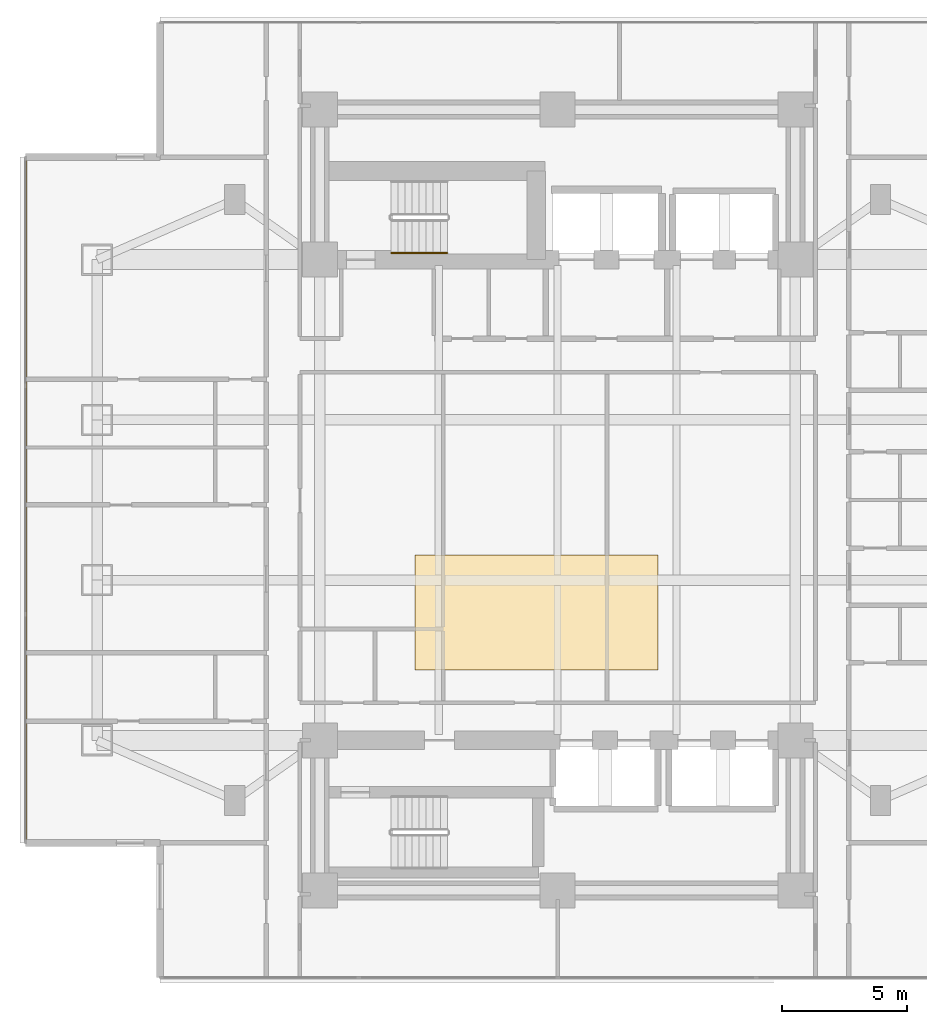
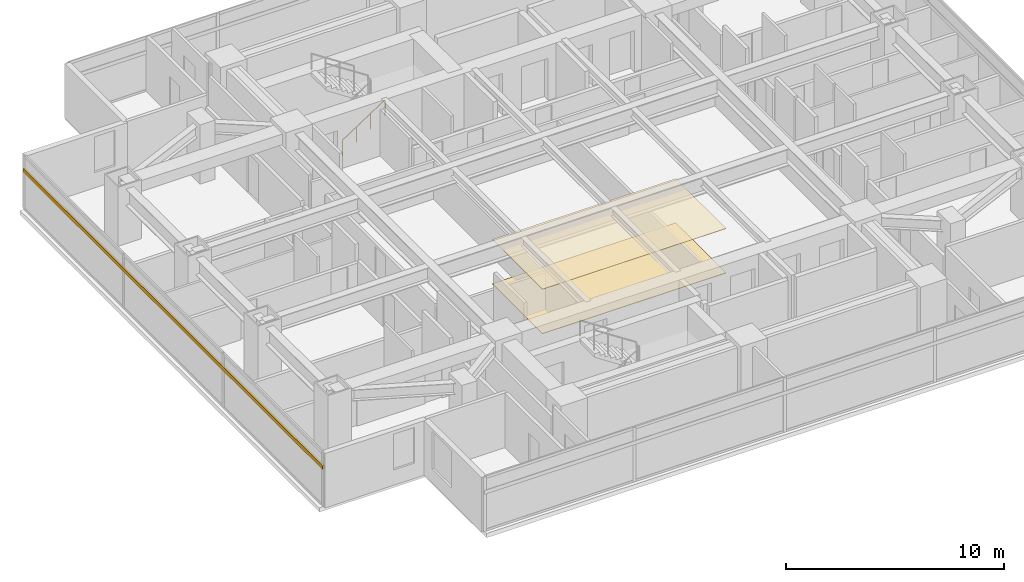
# One storey, part 21 of 26: 2 coverings, 1 railing, 1 shading device.
"""IFC4 building model written with IfcOpenShell, lengths in metres."""

import ifcopenshell
import ifcopenshell.guid

model = None  # the IFC model being written
_history = None  # IfcOwnerHistory: only IFC2X3 demands one
_inside = {}  # id of a spatial element -> (the spatial element, [elements in it])
_under = {}  # id of a project, library or spatial element -> (it, [spatial elements below it])
_declared = {}  # id of a project -> (the project, [libraries it declares])
_typed = {}  # id of a type object -> (the type object, [elements of that type])
_made_of = {}  # id of a material, layer set ... -> (it, [elements and type objects made of it])


def new_model(schema):
    """Start an empty IFC model of exactly this schema.

    Asked for "IFC4X3", IfcOpenShell would pick the latest addendum, in which some entities
    have other attributes; the version numbers below select the first issue.
    IFC2X3 requires an IfcOwnerHistory on every rooted entity: one is made here for all.
    """
    global model, _history
    if schema == "IFC4X3":
        model = ifcopenshell.file(schema_version=(4, 3, 0, 0))
    else:
        model = ifcopenshell.file(schema=schema)
    _inside.clear()
    _under.clear()
    _declared.clear()
    _typed.clear()
    _made_of.clear()
    _history = None
    if model.schema == "IFC2X3":
        org = make("IfcOrganization", Name="unknown")
        user = make(
            "IfcPersonAndOrganization",
            ThePerson=make("IfcPerson", FamilyName="unknown"),
            TheOrganization=org,
        )
        app = make(
            "IfcApplication",
            ApplicationDeveloper=org,
            Version="unknown",
            ApplicationFullName="unknown",
            ApplicationIdentifier="unknown",
        )
        _history = make(
            "IfcOwnerHistory",
            OwningUser=user,
            OwningApplication=app,
            ChangeAction="ADDED",
            CreationDate=0,
        )
    return model


def make(cls, **values):
    """One entity of the class cls with the attributes given. An attribute that is None is left unset."""
    return model.create_entity(
        cls, **{name: value for name, value in values.items() if value is not None}
    )


def rooted(cls, **values):
    """An entity with a GlobalId (a new one), such as an element, a storey or a relation."""
    return make(cls, GlobalId=ifcopenshell.guid.new(), OwnerHistory=_history, **values)


def si_unit(unit_type, name, prefix=None):
    """IfcSIUnit, for example si_unit("LENGTHUNIT", "METRE", prefix="MILLI")."""
    return make("IfcSIUnit", UnitType=unit_type, Prefix=prefix, Name=name)


def assignment(units):
    """IfcUnitAssignment: the units of a project."""
    return None if units is None else make("IfcUnitAssignment", Units=units)


def point(xyz):
    """IfcCartesianPoint."""
    return None if xyz is None else make("IfcCartesianPoint", Coordinates=xyz)


def direction(xyz):
    """IfcDirection."""
    return None if xyz is None else make("IfcDirection", DirectionRatios=xyz)


def frame(location, z_axis=None, x_axis=None):
    """IfcAxis2Placement3D, a coordinate frame: its origin and axes. An axis left out is left unset."""
    return make(
        "IfcAxis2Placement3D",
        Location=point(location),
        Axis=direction(z_axis),
        RefDirection=direction(x_axis),
    )


def frame_2d(location, x_axis=None):
    """IfcAxis2Placement2D, a coordinate frame in the plane: its origin and x axis."""
    return make(
        "IfcAxis2Placement2D", Location=point(location), RefDirection=direction(x_axis)
    )


def origin():
    """The frame at (0, 0, 0) with its axes left unset."""
    return frame((0.0, 0.0, 0.0))


def origin_2d():
    """The frame at (0, 0) in the plane with its x axis left unset."""
    return frame_2d((0.0, 0.0))


def place(relative_to, where):
    """IfcLocalPlacement: puts the frame where relative to a parent placement (None: the world)."""
    return make(
        "IfcLocalPlacement", PlacementRelTo=relative_to, RelativePlacement=where
    )


def context(
    kind, dimensions, precision=None, world=None, true_north=None, identifier=None
):
    """IfcGeometricRepresentationContext, for example the 3D "Model" context."""
    return make(
        "IfcGeometricRepresentationContext",
        ContextIdentifier=identifier,
        ContextType=kind,
        CoordinateSpaceDimension=dimensions,
        Precision=precision,
        WorldCoordinateSystem=world,
        TrueNorth=true_north,
    )


def subcontext(parent, identifier, kind, view, scale=None):
    """IfcGeometricRepresentationSubContext, for example "Body" below "Model"."""
    return make(
        "IfcGeometricRepresentationSubContext",
        ContextIdentifier=identifier,
        ContextType=kind,
        ParentContext=parent,
        TargetScale=scale,
        TargetView=view,
    )


def project(units=None, contexts=None):
    """IfcProject with its units and contexts."""
    return rooted(
        "IfcProject",
        Name="project",
        RepresentationContexts=contexts,
        UnitsInContext=assignment(units),
    )


def spatial(cls, under=None, at=None, **own):
    """A site, building, storey or space (cls), placed at a placement, below another one or the project."""
    s = rooted(cls, ObjectPlacement=at, **own)
    if under is not None:
        _under.setdefault(under.id(), (under, []))[1].append(s)
    return s


def polyline(points):
    """IfcPolyline through the points."""
    return make("IfcPolyline", Points=[point(p) for p in points])


def profile(cls, at=None, kind="AREA", **sizes):
    """A parametric profile (cls). Its sizes go by their IFC names, for example OverallWidth=200.0."""
    return make(cls, ProfileType=kind, Position=at, **sizes)


def rectangle(**sizes):
    """IfcRectangleProfileDef."""
    return profile("IfcRectangleProfileDef", **sizes)


def circle(**sizes):
    """IfcCircleProfileDef."""
    return profile("IfcCircleProfileDef", **sizes)


def outline(outer, holes=None, kind="AREA"):
    """IfcArbitraryClosedProfileDef: a profile drawn as a closed curve; with holes, ...WithVoids."""
    if holes is None:
        return make("IfcArbitraryClosedProfileDef", ProfileType=kind, OuterCurve=outer)
    return make(
        "IfcArbitraryProfileDefWithVoids",
        ProfileType=kind,
        OuterCurve=outer,
        InnerCurves=holes,
    )


def extrude(swept, where, along, depth):
    """IfcExtrudedAreaSolid: the profile swept, set in the frame where, extruded along a direction by depth."""
    return make(
        "IfcExtrudedAreaSolid",
        SweptArea=swept,
        Position=where,
        ExtrudedDirection=direction(along),
        Depth=depth,
    )


def shape(context_of_items, identifier, shape_type, items):
    """IfcShapeRepresentation: the items that make up one representation, for example the "Body"."""
    return make(
        "IfcShapeRepresentation",
        ContextOfItems=context_of_items,
        RepresentationIdentifier=identifier,
        RepresentationType=shape_type,
        Items=items,
    )


def material(Name=None, Category=None):
    """IfcMaterial."""
    return make("IfcMaterial", Name=Name, Category=Category)


def layer(
    of_material, thickness, ventilated=None, Name=None, Category=None, Priority=None
):
    """IfcMaterialLayer: one layer of a wall or slab, of a material (None: an air gap)."""
    return make(
        "IfcMaterialLayer",
        Material=of_material,
        LayerThickness=thickness,
        IsVentilated=ventilated,
        Name=Name,
        Category=Category,
        Priority=Priority,
    )


def layer_set(layers, Name=None):
    """IfcMaterialLayerSet."""
    return make("IfcMaterialLayerSet", MaterialLayers=layers, LayerSetName=Name)


def material_profile(
    of_material, cross_section, Name=None, Category=None, Priority=None
):
    """IfcMaterialProfile: a cross section and its material."""
    return make(
        "IfcMaterialProfile",
        Name=Name,
        Material=of_material,
        Profile=cross_section,
        Priority=Priority,
        Category=Category,
    )


def profile_set(profiles, Name=None, composite=None):
    """IfcMaterialProfileSet."""
    return make(
        "IfcMaterialProfileSet",
        Name=Name,
        MaterialProfiles=profiles,
        CompositeProfile=composite,
    )


def made_of(thing, what):
    """Note that an element or type object is made of a material, layer set ...; save() writes the relation."""
    if what is not None:
        _made_of.setdefault(what.id(), (what, []))[1].append(thing)
    return thing


def type_object(cls, material=None, **own):
    """A type object (cls), such as IfcWallType, which elements share."""
    return made_of(rooted(cls, **own), material)


def element(
    cls,
    number,
    at=None,
    inside=None,
    cuts=None,
    type_object=None,
    material=None,
    context=None,
    identifier="Body",
    shape_type=None,
    held_by="IfcProductDefinitionShape",
    body=None,
    shapes=None,
    **own,
):
    """One element of the class cls, such as IfcWall. Its Tag is "e" and its number.

    at: its placement. inside: the storey or other place that contains it. cuts: it is an
    opening in that element (IfcRelVoidsElement). A single representation is given by context,
    identifier, shape_type and body (its items); several are given by shapes. held_by: the class
    of the entity that holds the representations. save() writes the other relations.
    """
    e = rooted(cls, Tag="e%d" % number, ObjectPlacement=at, **own)
    if body is not None:
        shapes = [shape(context, identifier, shape_type, body)]
    if shapes is not None:
        e.Representation = make(held_by, Representations=shapes)
    if inside is not None:
        _inside.setdefault(inside.id(), (inside, []))[1].append(e)
    if cuts is not None:
        rooted(
            "IfcRelVoidsElement", RelatingBuildingElement=cuts, RelatedOpeningElement=e
        )
    if type_object is not None:
        _typed.setdefault(type_object.id(), (type_object, []))[1].append(e)
    return made_of(e, material)


def aggregate(whole, parts):
    """IfcRelAggregates: a whole, such as a stair, and the parts it consists of."""
    return rooted("IfcRelAggregates", RelatingObject=whole, RelatedObjects=parts)


def save(model, path):
    """Write the relations noted so far, then the file.

    IfcRelAggregates (storeys below a building ...), IfcRelContainedInSpatialStructure (elements
    in a storey), IfcRelDefinesByType, IfcRelAssociatesMaterial and IfcRelDeclares: one each for
    every whole, place, type object, material and project.
    """
    for whole, parts in _under.values():
        aggregate(whole, parts)
    for where, things in _inside.values():
        rooted(
            "IfcRelContainedInSpatialStructure",
            RelatedElements=things,
            RelatingStructure=where,
        )
    for kind, things in _typed.values():
        rooted("IfcRelDefinesByType", RelatedObjects=things, RelatingType=kind)
    for what, things in _made_of.values():
        rooted("IfcRelAssociatesMaterial", RelatedObjects=things, RelatingMaterial=what)
    for by, libraries in _declared.values():
        rooted("IfcRelDeclares", RelatingContext=by, RelatedDefinitions=libraries)
    model.write(path)


model = new_model("IFC4")

# Units and contexts
model_context = context("Model", 3, precision=1e-05, world=origin(), true_north=direction((0.0, 1.0)))
body_context = subcontext(model_context, "Body", "Model", "MODEL_VIEW")
ifc_project = project(units=[si_unit("LENGTHUNIT", "METRE"), si_unit("AREAUNIT", "SQUARE_METRE"), si_unit("VOLUMEUNIT", "CUBIC_METRE"), si_unit("PLANEANGLEUNIT", "RADIAN"), si_unit("MASSUNIT", "GRAM", prefix="KILO")], contexts=[model_context])

# Site, building, storey
site_placement = place(None, origin())
site = spatial("IfcSite", under=ifc_project, at=site_placement, CompositionType="ELEMENT")
building_placement = place(site_placement, origin())
building = spatial("IfcBuilding", under=site, at=building_placement, Name="Mirazonda Arch Towers", CompositionType="ELEMENT")
storey_placement = place(building_placement, frame((0.0, 0.0, 25.699951171875)))
storey = spatial("IfcBuildingStorey", under=building, at=storey_placement, Name="L06", CompositionType="ELEMENT", Elevation=25.699951171875)

# Shading device
ifc_material_1 = material(Name="Kiln-Fired Architectural Terracotta", Category="masonry")
ifc_material_profile = material_profile(ifc_material_1, rectangle(XDim=0.10009765625, YDim=0.199951171875, at=origin_2d()), Name="TERRA-BAG-100x200")
ifc_profile_set = profile_set([ifc_material_profile], Name="Kiln-Fired Architectural Terracotta")
shading_device_type = type_object("IfcShadingDeviceType", Name="BAGUETTE-2", PredefinedType="USERDEFINED", material=ifc_profile_set)
shading_device_placement = place(storey_placement, frame((-0.760009765625, 41.697998046875, 2.18896484375), z_axis=(0.0, -1.0, 0.0), x_axis=(1.0, 0.0, 0.0)))
element("IfcShadingDevice", 1, at=shading_device_placement, inside=storey, type_object=shading_device_type, Name="L06 Glazed Terracotta Sun-Screen Baguette CW-L06-T1-W", ObjectType="BAGUETTE", PredefinedType="USERDEFINED", context=body_context, shape_type="SweptSolid", body=[
    extrude(rectangle(XDim=0.10009765625, YDim=0.199951171875, at=origin_2d()), origin(), (0.0, 0.0, 1.0), 27.39599609375),
])

# Coverings
ifc_material_2 = material(Name="Acoustic Mineral Fibre Ceiling")
ifc_layer_1 = layer(ifc_material_2, 0.02490234375, Name="COV-CEIL-ACOUSTIC")
ifc_layer_set_1 = layer_set([ifc_layer_1], Name="Acoustic Mineral Fibre Ceiling")
covering_type_1 = type_object("IfcCoveringType", Name="COV-CEIL-ACOUSTIC", PredefinedType="CEILING", material=ifc_layer_set_1)
covering_1_placement = place(storey_placement, frame((0.0, 0.0, 2.485107421875)))
element("IfcCovering", 2, at=covering_1_placement, inside=storey, type_object=covering_type_1, Name="L06 Suspended Acoustic Ceiling", PredefinedType="CEILING", context=body_context, shape_type="SweptSolid", body=[
    extrude(outline(polyline([(14.800048828125, 21.199951171875), (24.5, 21.199951171875), (24.5, 25.800048828125), (14.800048828125, 25.800048828125), (14.800048828125, 21.199951171875)])), origin(), (0.0, 0.0, 1.0), 0.02490234375),
])
ifc_material_3 = material(Name="Polished Terrazzo Stone Finish", Category="masonry")
ifc_layer_2 = layer(ifc_material_3, 0.030029296875, Name="COV-FLOOR-STONE")
ifc_layer_set_2 = layer_set([ifc_layer_2], Name="Polished Terrazzo Stone Finish")
covering_type_2 = type_object("IfcCoveringType", Name="COV-FLOOR-STONE", PredefinedType="FLOORING", material=ifc_layer_set_2)
covering_2_placement = place(storey_placement, origin())
element("IfcCovering", 3, at=covering_2_placement, inside=storey, type_object=covering_type_2, Name="L06 Polished Terrazzo Lobby Flooring", PredefinedType="FLOORING", context=body_context, shape_type="SweptSolid", body=[
    extrude(outline(polyline([(14.800048828125, 21.199951171875), (24.5, 21.199951171875), (24.5, 25.800048828125), (14.800048828125, 25.800048828125), (14.800048828125, 21.199951171875)])), origin(), (0.0, 0.0, 1.0), 0.030029296875),
])

# Railing
ifc_material_4 = material(Name="Architectural Brushed Steel S355", Category="steel")
railing_type = type_object("IfcRailingType", Name="HANDRAIL-915", PredefinedType="HANDRAIL", material=ifc_material_4)
railing_placement = place(storey_placement, frame((13.85009765625, 37.8701171875, 0.183349609375)))
element("IfcRailing", 4, at=railing_placement, inside=storey, type_object=railing_type, Name="L06 ST-T1N stair handrail 1", PredefinedType="HANDRAIL", context=body_context, shape_type="SweptSolid", body=[
    extrude(circle(Radius=0.02392578125, at=origin_2d()), frame((0.0, 0.0, 0.8759765625), z_axis=(0.836595146698, 0.0, 0.547821650285), x_axis=(0.0, 1.0, 0.0)), (0.0, 0.0, 1.0), 2.677490234375),
    extrude(circle(Radius=0.02099609375, at=origin_2d()), origin(), (0.0, 0.0, 1.0), 0.851806640625),
    extrude(circle(Radius=0.02099609375, at=origin_2d()), frame((0.74658203125, 0.0, 0.489013671875)), (0.0, 0.0, 1.0), 0.851806640625),
    extrude(circle(Radius=0.02099609375, at=origin_2d()), frame((1.493408203125, 0.0, 0.977783203125)), (0.0, 0.0, 1.0), 0.851806640625),
    extrude(circle(Radius=0.02099609375, at=origin_2d()), frame((2.239990234375, 0.0, 1.466796875)), (0.0, 0.0, 1.0), 0.851806640625),
])

save(model, "model.ifc")
